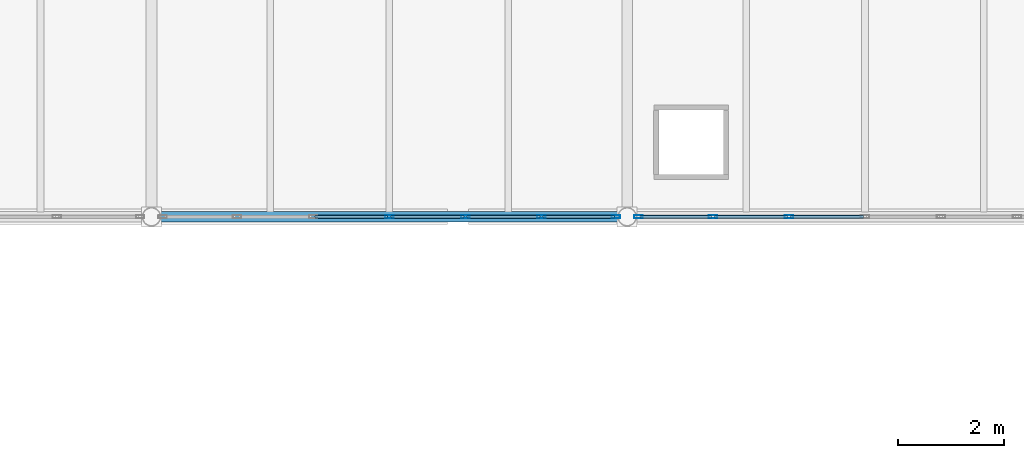
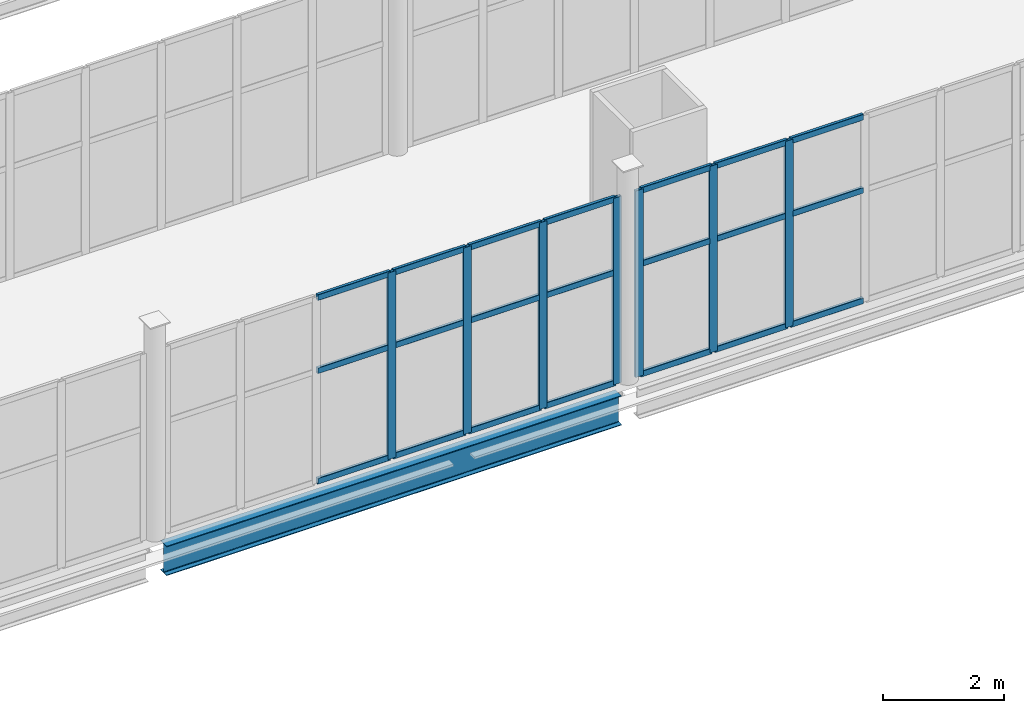
# One storey, part 58 of 172: 28 members, 1 beam, 2 elements without a shape of their own.
"""IFC4 building model written with IfcOpenShell, lengths in metres."""

from ifc_helpers import new_model, si_unit, direction, frame, origin, origin_2d, place, context, subcontext, project, spatial, hollow_rectangle, i_section, extrude, material, material_profile, profile_set, type_object, element, aggregate, save


model = new_model("IFC4")

# Units and contexts
model_context = context("Model", 3, precision=1e-05, world=origin(), true_north=direction((0.0, 1.0)))
body_context = subcontext(model_context, "Body", "Model", "MODEL_VIEW")
ifc_project = project(units=[si_unit("LENGTHUNIT", "METRE"), si_unit("AREAUNIT", "SQUARE_METRE"), si_unit("VOLUMEUNIT", "CUBIC_METRE"), si_unit("PLANEANGLEUNIT", "RADIAN"), si_unit("MASSUNIT", "GRAM", prefix="KILO")], contexts=[model_context])

# Site, building, storey
site_placement = place(None, origin())
site = spatial("IfcSite", under=ifc_project, at=site_placement, CompositionType="ELEMENT")
building_placement = place(site_placement, origin())
building = spatial("IfcBuilding", under=site, at=building_placement, Name="Shengluoqiao Park Theatre", CompositionType="ELEMENT")
storey_placement = place(building_placement, frame((0.0, 0.0, 5.39990234375)))
storey = spatial("IfcBuildingStorey", under=building, at=storey_placement, Name="L01", CompositionType="ELEMENT", Elevation=5.39990234375)

# Curtain wall, members
ifc_material_1 = material(Name="Aluminium 6063-T6", Category="aluminium")
curtain_wall_type = type_object("IfcCurtainWallType", Name="ENV-CW-BRIDGE", PredefinedType="NOTDEFINED", material=ifc_material_1)
curtain_wall_1_placement = place(storey_placement, origin())
curtain_wall_1 = element("IfcCurtainWall", 1, at=curtain_wall_1_placement, inside=storey, type_object=curtain_wall_type, Name="L01 Curtain Wall CWX-L01-0131", PredefinedType="NOTDEFINED")
ifc_material_profile_1 = material_profile(ifc_material_1, hollow_rectangle(XDim=0.06005859375, YDim=0.159912109375, WallThickness=0.00390625, InnerFilletRadius=0.00390625, OuterFilletRadius=0.008056640625, at=origin_2d()), Name="ALU MULLION 160x60x4")
ifc_profile_set_1 = profile_set([ifc_material_profile_1], Name="Aluminium 6063-T6")
member_type_1 = type_object("IfcMemberType", Name="ENV-MUL-160", PredefinedType="MULLION", material=ifc_profile_set_1)
member_1_placement = place(storey_placement, frame((116.89990234375, 53.199951171875, 0.0), z_axis=(0.0, 0.0, 1.0), x_axis=(0.0, 1.0, 0.0)))
member_1 = element("IfcMember", 2, at=member_1_placement, type_object=member_type_1, Name="CW-03 mullion 4", PredefinedType="MULLION", context=body_context, shape_type="SweptSolid", body=[
    extrude(hollow_rectangle(XDim=0.06005859375, YDim=0.159912109375, WallThickness=0.00390625, InnerFilletRadius=0.00390625, OuterFilletRadius=0.008056640625, at=origin_2d()), origin(), (0.0, 0.0, 1.0), 3.752197265625),
])
member_2_placement = place(storey_placement, frame((118.33935546875, 53.199951171875, 0.0), z_axis=(0.0, 0.0, 1.0), x_axis=(0.0, 1.0, 0.0)))
member_2 = element("IfcMember", 3, at=member_2_placement, type_object=member_type_1, Name="CW-03 mullion 5", PredefinedType="MULLION", context=body_context, shape_type="SweptSolid", body=[
    extrude(hollow_rectangle(XDim=0.06005859375, YDim=0.159912109375, WallThickness=0.00390625, InnerFilletRadius=0.00390625, OuterFilletRadius=0.008056640625, at=origin_2d()), origin(), (0.0, 0.0, 1.0), 3.752197265625),
])
member_3_placement = place(storey_placement, frame((119.778564453125, 53.199951171875, 0.0), z_axis=(0.0, 0.0, 1.0), x_axis=(0.0, 1.0, 0.0)))
member_3 = element("IfcMember", 4, at=member_3_placement, type_object=member_type_1, Name="CW-03 mullion 6", PredefinedType="MULLION", context=body_context, shape_type="SweptSolid", body=[
    extrude(hollow_rectangle(XDim=0.06005859375, YDim=0.159912109375, WallThickness=0.00390625, InnerFilletRadius=0.00390625, OuterFilletRadius=0.008056640625, at=origin_2d()), origin(), (0.0, 0.0, 1.0), 3.752197265625),
])
member_4_placement = place(storey_placement, frame((121.18798828125, 53.199951171875, 0.0), z_axis=(0.0, 0.0, 1.0), x_axis=(0.0, 1.0, 0.0)))
member_4 = element("IfcMember", 5, at=member_4_placement, type_object=member_type_1, Name="CW-03 mullion 7", PredefinedType="MULLION", context=body_context, shape_type="SweptSolid", body=[
    extrude(hollow_rectangle(XDim=0.06005859375, YDim=0.159912109375, WallThickness=0.00390625, InnerFilletRadius=0.00390625, OuterFilletRadius=0.008056640625, at=origin_2d()), origin(), (0.0, 0.0, 1.0), 3.752197265625),
])

curtain_wall_2_placement = place(storey_placement, origin())
curtain_wall_2 = element("IfcCurtainWall", 6, at=curtain_wall_2_placement, inside=storey, type_object=curtain_wall_type, Name="L01 Curtain Wall CWX-L01-0132", PredefinedType="NOTDEFINED")
member_5_placement = place(storey_placement, frame((121.612060546875, 53.199951171875, 0.0), z_axis=(0.0, 0.0, 1.0), x_axis=(0.0, 1.0, 0.0)))
member_5 = element("IfcMember", 7, at=member_5_placement, type_object=member_type_1, Name="CW-03 mullion 1", PredefinedType="MULLION", context=body_context, shape_type="SweptSolid", body=[
    extrude(hollow_rectangle(XDim=0.06005859375, YDim=0.159912109375, WallThickness=0.00390625, InnerFilletRadius=0.00390625, OuterFilletRadius=0.008056640625, at=origin_2d()), origin(), (0.0, 0.0, 1.0), 3.752197265625),
])
member_6_placement = place(storey_placement, frame((123.021240234375, 53.199951171875, 0.0), z_axis=(0.0, 0.0, 1.0), x_axis=(0.0, 1.0, 0.0)))
member_6 = element("IfcMember", 8, at=member_6_placement, type_object=member_type_1, Name="CW-03 mullion 2", PredefinedType="MULLION", context=body_context, shape_type="SweptSolid", body=[
    extrude(hollow_rectangle(XDim=0.06005859375, YDim=0.159912109375, WallThickness=0.00390625, InnerFilletRadius=0.00390625, OuterFilletRadius=0.008056640625, at=origin_2d()), origin(), (0.0, 0.0, 1.0), 3.752197265625),
])
member_7_placement = place(storey_placement, frame((124.460693359375, 53.199951171875, 0.0), z_axis=(0.0, 0.0, 1.0), x_axis=(0.0, 1.0, 0.0)))
member_7 = element("IfcMember", 9, at=member_7_placement, type_object=member_type_1, Name="CW-03 mullion 3", PredefinedType="MULLION", context=body_context, shape_type="SweptSolid", body=[
    extrude(hollow_rectangle(XDim=0.06005859375, YDim=0.159912109375, WallThickness=0.00390625, InnerFilletRadius=0.00390625, OuterFilletRadius=0.008056640625, at=origin_2d()), origin(), (0.0, 0.0, 1.0), 3.752197265625),
])

# Member
ifc_material_profile_2 = material_profile(ifc_material_1, hollow_rectangle(XDim=0.06005859375, YDim=0.1201171875, WallThickness=0.00390625, InnerFilletRadius=0.00390625, OuterFilletRadius=0.008056640625, at=origin_2d()), Name="ALU TRANSOM 120x60x4")
ifc_profile_set_2 = profile_set([ifc_material_profile_2], Name="Aluminium 6063-T6")
member_type_2 = type_object("IfcMemberType", Name="ENV-TRN-120", PredefinedType="USERDEFINED", material=ifc_profile_set_2)
member_8_placement = place(storey_placement, frame((115.49072265625, 53.199951171875, 0.030029296875), z_axis=(1.0, 0.0, 0.0), x_axis=(0.0, 1.0, 0.0)))
member_8 = element("IfcMember", 10, at=member_8_placement, type_object=member_type_2, Name="CW-03 transom 3.1", ObjectType="TRANSOM", PredefinedType="USERDEFINED", context=body_context, shape_type="SweptSolid", body=[
    extrude(hollow_rectangle(XDim=0.06005859375, YDim=0.1201171875, WallThickness=0.00390625, InnerFilletRadius=0.00390625, OuterFilletRadius=0.008056640625, at=origin_2d()), origin(), (0.0, 0.0, 1.0), 1.37939453125),
])

member_9_placement = place(storey_placement, frame((115.49072265625, 53.199951171875, 2.2509765625), z_axis=(1.0, 0.0, 0.0), x_axis=(0.0, 1.0, 0.0)))
member_9 = element("IfcMember", 11, at=member_9_placement, type_object=member_type_2, Name="CW-03 transom 3.2", ObjectType="TRANSOM", PredefinedType="USERDEFINED", context=body_context, shape_type="SweptSolid", body=[
    extrude(hollow_rectangle(XDim=0.06005859375, YDim=0.1201171875, WallThickness=0.00390625, InnerFilletRadius=0.00390625, OuterFilletRadius=0.008056640625, at=origin_2d()), origin(), (0.0, 0.0, 1.0), 1.37939453125),
])

member_10_placement = place(storey_placement, frame((115.49072265625, 53.199951171875, 3.72216796875), z_axis=(1.0, 0.0, 0.0), x_axis=(0.0, 1.0, 0.0)))
member_10 = element("IfcMember", 12, at=member_10_placement, type_object=member_type_2, Name="CW-03 transom 3.3", ObjectType="TRANSOM", PredefinedType="USERDEFINED", context=body_context, shape_type="SweptSolid", body=[
    extrude(hollow_rectangle(XDim=0.06005859375, YDim=0.1201171875, WallThickness=0.00390625, InnerFilletRadius=0.00390625, OuterFilletRadius=0.008056640625, at=origin_2d()), origin(), (0.0, 0.0, 1.0), 1.37939453125),
])

member_11_placement = place(storey_placement, frame((116.929931640625, 53.199951171875, 0.030029296875), z_axis=(1.0, 0.0, 0.0), x_axis=(0.0, 1.0, 0.0)))
member_11 = element("IfcMember", 13, at=member_11_placement, type_object=member_type_2, Name="CW-03 transom 4.1", ObjectType="TRANSOM", PredefinedType="USERDEFINED", context=body_context, shape_type="SweptSolid", body=[
    extrude(hollow_rectangle(XDim=0.06005859375, YDim=0.1201171875, WallThickness=0.00390625, InnerFilletRadius=0.00390625, OuterFilletRadius=0.008056640625, at=origin_2d()), origin(), (0.0, 0.0, 1.0), 1.37939453125),
])

member_12_placement = place(storey_placement, frame((116.929931640625, 53.199951171875, 2.2509765625), z_axis=(1.0, 0.0, 0.0), x_axis=(0.0, 1.0, 0.0)))
member_12 = element("IfcMember", 14, at=member_12_placement, type_object=member_type_2, Name="CW-03 transom 4.2", ObjectType="TRANSOM", PredefinedType="USERDEFINED", context=body_context, shape_type="SweptSolid", body=[
    extrude(hollow_rectangle(XDim=0.06005859375, YDim=0.1201171875, WallThickness=0.00390625, InnerFilletRadius=0.00390625, OuterFilletRadius=0.008056640625, at=origin_2d()), origin(), (0.0, 0.0, 1.0), 1.37939453125),
])

member_13_placement = place(storey_placement, frame((116.929931640625, 53.199951171875, 3.72216796875), z_axis=(1.0, 0.0, 0.0), x_axis=(0.0, 1.0, 0.0)))
member_13 = element("IfcMember", 15, at=member_13_placement, type_object=member_type_2, Name="CW-03 transom 4.3", ObjectType="TRANSOM", PredefinedType="USERDEFINED", context=body_context, shape_type="SweptSolid", body=[
    extrude(hollow_rectangle(XDim=0.06005859375, YDim=0.1201171875, WallThickness=0.00390625, InnerFilletRadius=0.00390625, OuterFilletRadius=0.008056640625, at=origin_2d()), origin(), (0.0, 0.0, 1.0), 1.37939453125),
])

member_14_placement = place(storey_placement, frame((118.369384765625, 53.199951171875, 0.030029296875), z_axis=(1.0, 0.0, 0.0), x_axis=(0.0, 1.0, 0.0)))
member_14 = element("IfcMember", 16, at=member_14_placement, type_object=member_type_2, Name="CW-03 transom 5.1", ObjectType="TRANSOM", PredefinedType="USERDEFINED", context=body_context, shape_type="SweptSolid", body=[
    extrude(hollow_rectangle(XDim=0.06005859375, YDim=0.1201171875, WallThickness=0.00390625, InnerFilletRadius=0.00390625, OuterFilletRadius=0.008056640625, at=origin_2d()), origin(), (0.0, 0.0, 1.0), 1.37939453125),
])

member_15_placement = place(storey_placement, frame((118.369384765625, 53.199951171875, 2.2509765625), z_axis=(1.0, 0.0, 0.0), x_axis=(0.0, 1.0, 0.0)))
member_15 = element("IfcMember", 17, at=member_15_placement, type_object=member_type_2, Name="CW-03 transom 5.2", ObjectType="TRANSOM", PredefinedType="USERDEFINED", context=body_context, shape_type="SweptSolid", body=[
    extrude(hollow_rectangle(XDim=0.06005859375, YDim=0.1201171875, WallThickness=0.00390625, InnerFilletRadius=0.00390625, OuterFilletRadius=0.008056640625, at=origin_2d()), origin(), (0.0, 0.0, 1.0), 1.37939453125),
])

member_16_placement = place(storey_placement, frame((118.369384765625, 53.199951171875, 3.72216796875), z_axis=(1.0, 0.0, 0.0), x_axis=(0.0, 1.0, 0.0)))
member_16 = element("IfcMember", 18, at=member_16_placement, type_object=member_type_2, Name="CW-03 transom 5.3", ObjectType="TRANSOM", PredefinedType="USERDEFINED", context=body_context, shape_type="SweptSolid", body=[
    extrude(hollow_rectangle(XDim=0.06005859375, YDim=0.1201171875, WallThickness=0.00390625, InnerFilletRadius=0.00390625, OuterFilletRadius=0.008056640625, at=origin_2d()), origin(), (0.0, 0.0, 1.0), 1.37939453125),
])

member_17_placement = place(storey_placement, frame((119.80859375, 53.199951171875, 0.030029296875), z_axis=(1.0, 0.0, 0.0), x_axis=(0.0, 1.0, 0.0)))
member_17 = element("IfcMember", 19, at=member_17_placement, type_object=member_type_2, Name="CW-03 transom 6.1", ObjectType="TRANSOM", PredefinedType="USERDEFINED", context=body_context, shape_type="SweptSolid", body=[
    extrude(hollow_rectangle(XDim=0.06005859375, YDim=0.1201171875, WallThickness=0.00390625, InnerFilletRadius=0.00390625, OuterFilletRadius=0.008056640625, at=origin_2d()), origin(), (0.0, 0.0, 1.0), 1.349365234375),
])

member_18_placement = place(storey_placement, frame((119.80859375, 53.199951171875, 2.2509765625), z_axis=(1.0, 0.0, 0.0), x_axis=(0.0, 1.0, 0.0)))
member_18 = element("IfcMember", 20, at=member_18_placement, type_object=member_type_2, Name="CW-03 transom 6.2", ObjectType="TRANSOM", PredefinedType="USERDEFINED", context=body_context, shape_type="SweptSolid", body=[
    extrude(hollow_rectangle(XDim=0.06005859375, YDim=0.1201171875, WallThickness=0.00390625, InnerFilletRadius=0.00390625, OuterFilletRadius=0.008056640625, at=origin_2d()), origin(), (0.0, 0.0, 1.0), 1.349365234375),
])

member_19_placement = place(storey_placement, frame((119.80859375, 53.199951171875, 3.72216796875), z_axis=(1.0, 0.0, 0.0), x_axis=(0.0, 1.0, 0.0)))
member_19 = element("IfcMember", 21, at=member_19_placement, type_object=member_type_2, Name="CW-03 transom 6.3", ObjectType="TRANSOM", PredefinedType="USERDEFINED", context=body_context, shape_type="SweptSolid", body=[
    extrude(hollow_rectangle(XDim=0.06005859375, YDim=0.1201171875, WallThickness=0.00390625, InnerFilletRadius=0.00390625, OuterFilletRadius=0.008056640625, at=origin_2d()), origin(), (0.0, 0.0, 1.0), 1.349365234375),
])

aggregate(curtain_wall_1, [member_1, member_2, member_3, member_4, member_8, member_9, member_10, member_11, member_12, member_13, member_14, member_15, member_16, member_17, member_18, member_19])

member_20_placement = place(storey_placement, frame((121.64208984375, 53.199951171875, 0.030029296875), z_axis=(1.0, 0.0, 0.0), x_axis=(0.0, 1.0, 0.0)))
member_20 = element("IfcMember", 22, at=member_20_placement, type_object=member_type_2, Name="CW-03 transom 1.1", ObjectType="TRANSOM", PredefinedType="USERDEFINED", context=body_context, shape_type="SweptSolid", body=[
    extrude(hollow_rectangle(XDim=0.06005859375, YDim=0.1201171875, WallThickness=0.00390625, InnerFilletRadius=0.00390625, OuterFilletRadius=0.008056640625, at=origin_2d()), origin(), (0.0, 0.0, 1.0), 1.349365234375),
])

member_21_placement = place(storey_placement, frame((121.64208984375, 53.199951171875, 2.2509765625), z_axis=(1.0, 0.0, 0.0), x_axis=(0.0, 1.0, 0.0)))
member_21 = element("IfcMember", 23, at=member_21_placement, type_object=member_type_2, Name="CW-03 transom 1.2", ObjectType="TRANSOM", PredefinedType="USERDEFINED", context=body_context, shape_type="SweptSolid", body=[
    extrude(hollow_rectangle(XDim=0.06005859375, YDim=0.1201171875, WallThickness=0.00390625, InnerFilletRadius=0.00390625, OuterFilletRadius=0.008056640625, at=origin_2d()), origin(), (0.0, 0.0, 1.0), 1.349365234375),
])

member_22_placement = place(storey_placement, frame((121.64208984375, 53.199951171875, 3.72216796875), z_axis=(1.0, 0.0, 0.0), x_axis=(0.0, 1.0, 0.0)))
member_22 = element("IfcMember", 24, at=member_22_placement, type_object=member_type_2, Name="CW-03 transom 1.3", ObjectType="TRANSOM", PredefinedType="USERDEFINED", context=body_context, shape_type="SweptSolid", body=[
    extrude(hollow_rectangle(XDim=0.06005859375, YDim=0.1201171875, WallThickness=0.00390625, InnerFilletRadius=0.00390625, OuterFilletRadius=0.008056640625, at=origin_2d()), origin(), (0.0, 0.0, 1.0), 1.349365234375),
])

member_23_placement = place(storey_placement, frame((123.05126953125, 53.199951171875, 0.030029296875), z_axis=(1.0, 0.0, 0.0), x_axis=(0.0, 1.0, 0.0)))
member_23 = element("IfcMember", 25, at=member_23_placement, type_object=member_type_2, Name="CW-03 transom 2.1", ObjectType="TRANSOM", PredefinedType="USERDEFINED", context=body_context, shape_type="SweptSolid", body=[
    extrude(hollow_rectangle(XDim=0.06005859375, YDim=0.1201171875, WallThickness=0.00390625, InnerFilletRadius=0.00390625, OuterFilletRadius=0.008056640625, at=origin_2d()), origin(), (0.0, 0.0, 1.0), 1.37939453125),
])

member_24_placement = place(storey_placement, frame((123.05126953125, 53.199951171875, 2.2509765625), z_axis=(1.0, 0.0, 0.0), x_axis=(0.0, 1.0, 0.0)))
member_24 = element("IfcMember", 26, at=member_24_placement, type_object=member_type_2, Name="CW-03 transom 2.2", ObjectType="TRANSOM", PredefinedType="USERDEFINED", context=body_context, shape_type="SweptSolid", body=[
    extrude(hollow_rectangle(XDim=0.06005859375, YDim=0.1201171875, WallThickness=0.00390625, InnerFilletRadius=0.00390625, OuterFilletRadius=0.008056640625, at=origin_2d()), origin(), (0.0, 0.0, 1.0), 1.37939453125),
])

member_25_placement = place(storey_placement, frame((123.05126953125, 53.199951171875, 3.72216796875), z_axis=(1.0, 0.0, 0.0), x_axis=(0.0, 1.0, 0.0)))
member_25 = element("IfcMember", 27, at=member_25_placement, type_object=member_type_2, Name="CW-03 transom 2.3", ObjectType="TRANSOM", PredefinedType="USERDEFINED", context=body_context, shape_type="SweptSolid", body=[
    extrude(hollow_rectangle(XDim=0.06005859375, YDim=0.1201171875, WallThickness=0.00390625, InnerFilletRadius=0.00390625, OuterFilletRadius=0.008056640625, at=origin_2d()), origin(), (0.0, 0.0, 1.0), 1.37939453125),
])

member_26_placement = place(storey_placement, frame((124.49072265625, 53.199951171875, 0.030029296875), z_axis=(1.0, 0.0, 0.0), x_axis=(0.0, 1.0, 0.0)))
member_26 = element("IfcMember", 28, at=member_26_placement, type_object=member_type_2, Name="CW-03 transom 3.1", ObjectType="TRANSOM", PredefinedType="USERDEFINED", context=body_context, shape_type="SweptSolid", body=[
    extrude(hollow_rectangle(XDim=0.06005859375, YDim=0.1201171875, WallThickness=0.00390625, InnerFilletRadius=0.00390625, OuterFilletRadius=0.008056640625, at=origin_2d()), origin(), (0.0, 0.0, 1.0), 1.37939453125),
])

member_27_placement = place(storey_placement, frame((124.49072265625, 53.199951171875, 2.2509765625), z_axis=(1.0, 0.0, 0.0), x_axis=(0.0, 1.0, 0.0)))
member_27 = element("IfcMember", 29, at=member_27_placement, type_object=member_type_2, Name="CW-03 transom 3.2", ObjectType="TRANSOM", PredefinedType="USERDEFINED", context=body_context, shape_type="SweptSolid", body=[
    extrude(hollow_rectangle(XDim=0.06005859375, YDim=0.1201171875, WallThickness=0.00390625, InnerFilletRadius=0.00390625, OuterFilletRadius=0.008056640625, at=origin_2d()), origin(), (0.0, 0.0, 1.0), 1.37939453125),
])

member_28_placement = place(storey_placement, frame((124.49072265625, 53.199951171875, 3.72216796875), z_axis=(1.0, 0.0, 0.0), x_axis=(0.0, 1.0, 0.0)))
member_28 = element("IfcMember", 30, at=member_28_placement, type_object=member_type_2, Name="CW-03 transom 3.3", ObjectType="TRANSOM", PredefinedType="USERDEFINED", context=body_context, shape_type="SweptSolid", body=[
    extrude(hollow_rectangle(XDim=0.06005859375, YDim=0.1201171875, WallThickness=0.00390625, InnerFilletRadius=0.00390625, OuterFilletRadius=0.008056640625, at=origin_2d()), origin(), (0.0, 0.0, 1.0), 1.37939453125),
])

aggregate(curtain_wall_2, [member_5, member_6, member_7, member_20, member_21, member_22, member_23, member_24, member_25, member_26, member_27, member_28])

# Beam
ifc_material_2 = material(Name="Steel Q355", Category="steel")
ifc_material_profile_3 = material_profile(ifc_material_2, i_section(OverallWidth=0.198974609375, OverallDepth=0.595947265625, WebThickness=0.010009765625, FlangeThickness=0.014892578125, FilletRadius=0.02001953125, at=origin_2d()), Name="HN 596x199x10x15")
ifc_profile_set_3 = profile_set([ifc_material_profile_3], Name="Steel Q355")
beam_type = type_object("IfcBeamType", Name="STR-BM-SP-HN596", PredefinedType="SPANDREL", material=ifc_profile_set_3)
beam_placement = place(storey_placement, frame((112.572021484375, 53.199951171875, -0.5078125), z_axis=(1.0, 0.0, 0.0), x_axis=(0.0, 1.0, 0.0)))
element("IfcBeam", 31, at=beam_placement, inside=storey, type_object=beam_type, Name="L01 Primary Girder 00569", PredefinedType="SPANDREL", context=body_context, shape_type="SweptSolid", body=[
    extrude(i_section(OverallWidth=0.198974609375, OverallDepth=0.595947265625, WebThickness=0.010009765625, FlangeThickness=0.014892578125, FilletRadius=0.02001953125, at=origin_2d()), origin(), (0.0, 0.0, 1.0), 8.656005859375),
])

save(model, "model.ifc")
